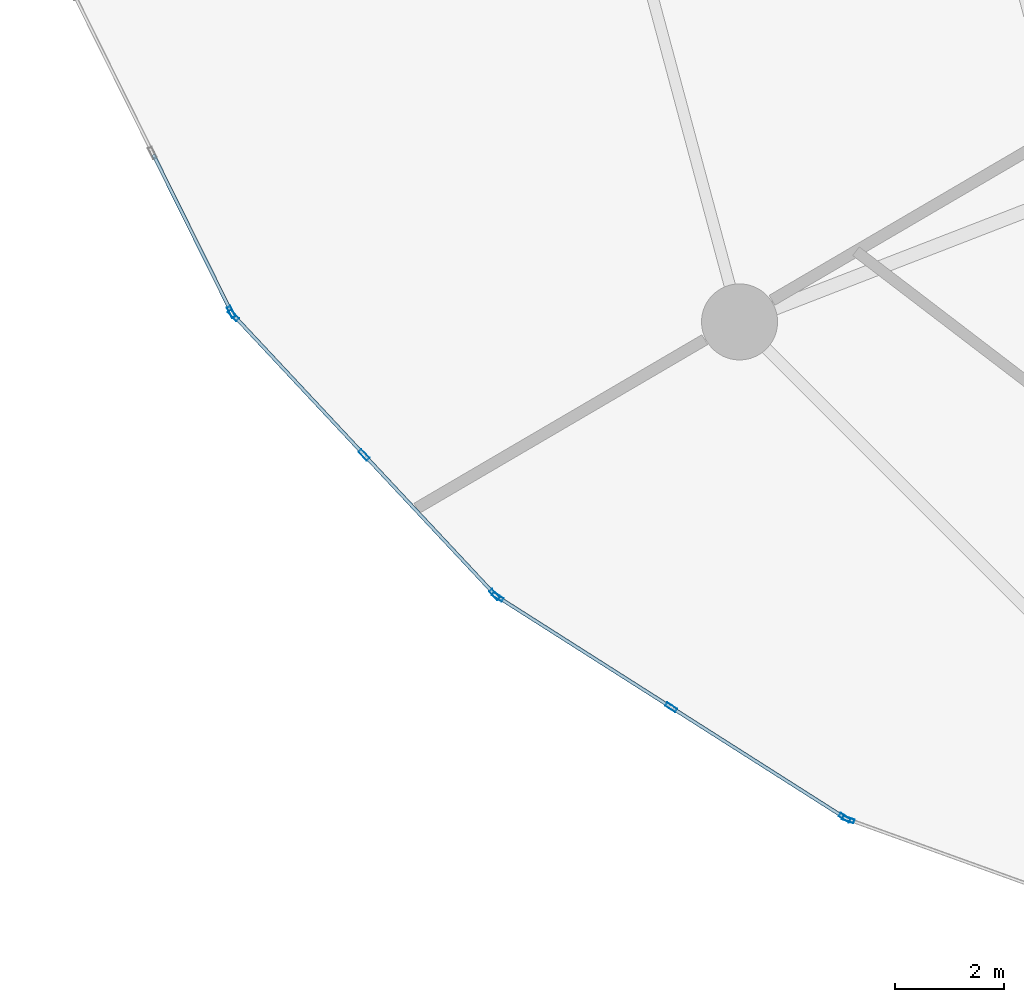
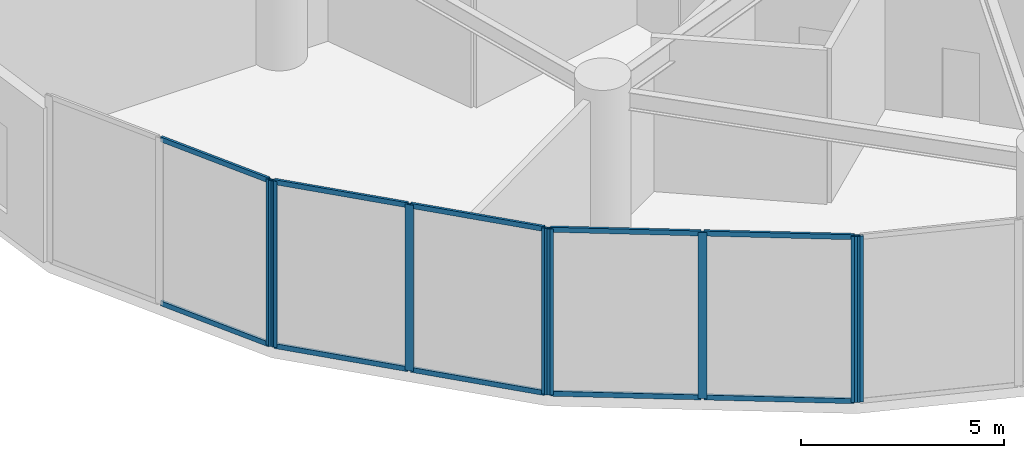
# One storey, part 4 of 31: 18 members, 4 elements without a shape of their own.
"""IFC4 building model written with IfcOpenShell, lengths in metres."""

from ifc_helpers import new_model, si_unit, direction, frame, origin, origin_2d, place, context, subcontext, project, spatial, hollow_rectangle, extrude, source, transform, mapped, material, layer, layer_set, material_profile, profile_set, type_object, element, aggregate, save


model = new_model("IFC4")

# Units and contexts
model_context = context("Model", 3, precision=1e-05, world=origin(), true_north=direction((0.0, 1.0)))
body_context = subcontext(model_context, "Body", "Model", "MODEL_VIEW")
ifc_project = project(units=[si_unit("LENGTHUNIT", "METRE"), si_unit("AREAUNIT", "SQUARE_METRE"), si_unit("VOLUMEUNIT", "CUBIC_METRE"), si_unit("PLANEANGLEUNIT", "RADIAN"), si_unit("MASSUNIT", "GRAM", prefix="KILO")], contexts=[model_context])

# Site, building, storey
site_placement = place(None, origin())
site = spatial("IfcSite", under=ifc_project, at=site_placement, CompositionType="ELEMENT")
building_placement = place(site_placement, origin())
building = spatial("IfcBuilding", under=site, at=building_placement, Name="Solvirekh Grand Hotel", CompositionType="ELEMENT")
storey_placement = place(building_placement, frame((0.0, 0.0, 18.60009765625)))
storey = spatial("IfcBuildingStorey", under=building, at=storey_placement, Name="L03", CompositionType="ELEMENT", Elevation=18.60009765625)

# Curtain wall, members
ifc_material = material(Name="Anodized Bronze Aluminium 6063-T6", Category="aluminium")
ifc_layer = layer(ifc_material, 0.219970703125)
ifc_layer_set = layer_set([ifc_layer], Name="Anodized Bronze Aluminium 6063-T6")
curtain_wall_type = type_object("IfcCurtainWallType", Name="CW_Sys1_PodiumBronzeUnitised", PredefinedType="NOTDEFINED", material=ifc_layer_set)
curtain_wall_1_placement = place(storey_placement, origin())
curtain_wall_1 = element("IfcCurtainWall", 1, at=curtain_wall_1_placement, inside=storey, type_object=curtain_wall_type, Name="L03 unitised bronze-glass curtain wall CW-L03-C14", PredefinedType="NOTDEFINED")
ifc_material_profile_1 = material_profile(ifc_material, hollow_rectangle(XDim=0.06494140625, YDim=0.14990234375, WallThickness=0.0048828125, at=origin_2d()), Name="ALU RHS 150X65X5")
ifc_profile_set_1 = profile_set([ifc_material_profile_1], Name="Anodized Bronze Aluminium 6063-T6")
member_type_1 = type_object("IfcMemberType", Name="CWTransom_Sys1", PredefinedType="USERDEFINED", material=ifc_profile_set_1)
shared_shape_1 = source(origin(), body_context, "Body", "SweptSolid", [
    extrude(hollow_rectangle(XDim=0.06494140625, YDim=0.14990234375, WallThickness=0.0048828125, at=origin_2d()), origin(), (0.0, 0.0, 1.0), 3.193603515625),
])
member_1_placement = place(storey_placement, frame((-29.671875, -7.821044921875, 0.032470703125), z_axis=(0.443846799093, -0.896102683254, 0.0), x_axis=(0.896102683254, 0.443846799093, 0.0)))
member_1 = element("IfcMember", 2, at=member_1_placement, type_object=member_type_1, Name="U01 transom 2.1", ObjectType="TRANSOM", PredefinedType="USERDEFINED", context=body_context, shape_type="MappedRepresentation", body=[
    mapped(shared_shape_1, transform((0.0, 0.0, 0.0), x_axis=(1.0, 0.0, 0.0), y_axis=(0.0, 1.0, 0.0), z_axis=(0.0, 0.0, 1.0), scale=1.0)),
])
member_2_placement = place(storey_placement, frame((-29.671875, -7.821044921875, 4.96728515625), z_axis=(0.443846799093, -0.896102683254, 0.0), x_axis=(0.896102683254, 0.443846799093, 0.0)))
member_2 = element("IfcMember", 3, at=member_2_placement, type_object=member_type_1, Name="U01 transom 2.2", ObjectType="TRANSOM", PredefinedType="USERDEFINED", context=body_context, shape_type="MappedRepresentation", body=[
    mapped(shared_shape_1, transform((0.0, 0.0, 0.0), x_axis=(1.0, 0.0, 0.0), y_axis=(0.0, 1.0, 0.0), z_axis=(0.0, 0.0, 1.0), scale=1.0)),
])

curtain_wall_2_placement = place(storey_placement, origin())
curtain_wall_2 = element("IfcCurtainWall", 4, at=curtain_wall_2_placement, inside=storey, type_object=curtain_wall_type, Name="L03 unitised bronze-glass curtain wall CW-L03-C15", PredefinedType="NOTDEFINED")
shared_shape_2 = source(origin(), body_context, "Body", "SweptSolid", [
    extrude(hollow_rectangle(XDim=0.06494140625, YDim=0.14990234375, WallThickness=0.0048828125, at=origin_2d()), origin(), (0.0, 0.0, 1.0), 3.443115234375),
])
member_3_placement = place(storey_placement, frame((-28.169677734375, -10.8046875, 0.032470703125), z_axis=(0.68313639099, -0.730290812831, 0.0), x_axis=(0.730290812831, 0.68313639099, 0.0)))
member_3 = element("IfcMember", 5, at=member_3_placement, type_object=member_type_1, Name="U01 transom 1.1", ObjectType="TRANSOM", PredefinedType="USERDEFINED", context=body_context, shape_type="MappedRepresentation", body=[
    mapped(shared_shape_2, transform((0.0, 0.0, 0.0), x_axis=(1.0, 0.0, 0.0), y_axis=(0.0, 1.0, 0.0), z_axis=(0.0, 0.0, 1.0), scale=1.0)),
])
member_4_placement = place(storey_placement, frame((-28.169677734375, -10.8046875, 4.96728515625), z_axis=(0.68313639099, -0.730290812831, 0.0), x_axis=(0.730290812831, 0.68313639099, 0.0)))
member_4 = element("IfcMember", 6, at=member_4_placement, type_object=member_type_1, Name="U01 transom 1.2", ObjectType="TRANSOM", PredefinedType="USERDEFINED", context=body_context, shape_type="MappedRepresentation", body=[
    mapped(shared_shape_2, transform((0.0, 0.0, 0.0), x_axis=(1.0, 0.0, 0.0), y_axis=(0.0, 1.0, 0.0), z_axis=(0.0, 0.0, 1.0), scale=1.0)),
])
member_5_placement = place(storey_placement, frame((-25.766357421875, -13.373779296875, 0.032470703125), z_axis=(0.68313639099, -0.730290812831, 0.0), x_axis=(0.730290812831, 0.68313639099, 0.0)))
member_5 = element("IfcMember", 7, at=member_5_placement, type_object=member_type_1, Name="U01 transom 2.1", ObjectType="TRANSOM", PredefinedType="USERDEFINED", context=body_context, shape_type="MappedRepresentation", body=[
    mapped(shared_shape_2, transform((0.0, 0.0, 0.0), x_axis=(1.0, 0.0, 0.0), y_axis=(0.0, 1.0, 0.0), z_axis=(0.0, 0.0, 1.0), scale=1.0)),
])
member_6_placement = place(storey_placement, frame((-25.766357421875, -13.373779296875, 4.96728515625), z_axis=(0.68313639099, -0.730290812831, 0.0), x_axis=(0.730290812831, 0.68313639099, 0.0)))
member_6 = element("IfcMember", 8, at=member_6_placement, type_object=member_type_1, Name="U01 transom 2.2", ObjectType="TRANSOM", PredefinedType="USERDEFINED", context=body_context, shape_type="MappedRepresentation", body=[
    mapped(shared_shape_2, transform((0.0, 0.0, 0.0), x_axis=(1.0, 0.0, 0.0), y_axis=(0.0, 1.0, 0.0), z_axis=(0.0, 0.0, 1.0), scale=1.0)),
])

curtain_wall_3_placement = place(storey_placement, origin())
curtain_wall_3 = element("IfcCurtainWall", 9, at=curtain_wall_3_placement, inside=storey, type_object=curtain_wall_type, Name="L03 unitised bronze-glass curtain wall CW-L03-C16", PredefinedType="NOTDEFINED")
shared_shape_3 = source(origin(), body_context, "Body", "SweptSolid", [
    extrude(hollow_rectangle(XDim=0.06494140625, YDim=0.14990234375, WallThickness=0.0048828125, at=origin_2d()), origin(), (0.0, 0.0, 1.0), 3.7109375),
])
member_7_placement = place(storey_placement, frame((-23.2998046875, -15.983154296875, 0.032470703125), z_axis=(0.843604595383, -0.536964883999, 0.0), x_axis=(0.536964883999, 0.843604595383, 0.0)))
member_7 = element("IfcMember", 10, at=member_7_placement, type_object=member_type_1, Name="U01 transom 1.1", ObjectType="TRANSOM", PredefinedType="USERDEFINED", context=body_context, shape_type="MappedRepresentation", body=[
    mapped(shared_shape_3, transform((0.0, 0.0, 0.0), x_axis=(1.0, 0.0, 0.0), y_axis=(0.0, 1.0, 0.0), z_axis=(0.0, 0.0, 1.0), scale=1.0)),
])
member_8_placement = place(storey_placement, frame((-23.2998046875, -15.983154296875, 4.96728515625), z_axis=(0.843604595383, -0.536964883999, 0.0), x_axis=(0.536964883999, 0.843604595383, 0.0)))
member_8 = element("IfcMember", 11, at=member_8_placement, type_object=member_type_1, Name="U01 transom 1.2", ObjectType="TRANSOM", PredefinedType="USERDEFINED", context=body_context, shape_type="MappedRepresentation", body=[
    mapped(shared_shape_3, transform((0.0, 0.0, 0.0), x_axis=(1.0, 0.0, 0.0), y_axis=(0.0, 1.0, 0.0), z_axis=(0.0, 0.0, 1.0), scale=1.0)),
])
member_9_placement = place(storey_placement, frame((-20.10595703125, -18.01611328125, 0.032470703125), z_axis=(0.843604595383, -0.536964883999, 0.0), x_axis=(0.536964883999, 0.843604595383, 0.0)))
member_9 = element("IfcMember", 12, at=member_9_placement, type_object=member_type_1, Name="U01 transom 2.1", ObjectType="TRANSOM", PredefinedType="USERDEFINED", context=body_context, shape_type="MappedRepresentation", body=[
    mapped(shared_shape_3, transform((0.0, 0.0, 0.0), x_axis=(1.0, 0.0, 0.0), y_axis=(0.0, 1.0, 0.0), z_axis=(0.0, 0.0, 1.0), scale=1.0)),
])
member_10_placement = place(storey_placement, frame((-20.10595703125, -18.01611328125, 4.96728515625), z_axis=(0.843604595383, -0.536964883999, 0.0), x_axis=(0.536964883999, 0.843604595383, 0.0)))
member_10 = element("IfcMember", 13, at=member_10_placement, type_object=member_type_1, Name="U01 transom 2.2", ObjectType="TRANSOM", PredefinedType="USERDEFINED", context=body_context, shape_type="MappedRepresentation", body=[
    mapped(shared_shape_3, transform((0.0, 0.0, 0.0), x_axis=(1.0, 0.0, 0.0), y_axis=(0.0, 1.0, 0.0), z_axis=(0.0, 0.0, 1.0), scale=1.0)),
])

# Member
ifc_material_profile_2 = material_profile(ifc_material, hollow_rectangle(XDim=0.074951171875, YDim=0.219970703125, WallThickness=0.006103515625, at=origin_2d()), Name="ALU RHS 220X75X6")
ifc_profile_set_2 = profile_set([ifc_material_profile_2], Name="Anodized Bronze Aluminium 6063-T6")
member_type_2 = type_object("IfcMemberType", Name="CWMullion_Sys1", PredefinedType="MULLION", material=ifc_profile_set_2)
shared_shape_4 = source(origin(), body_context, "Body", "SweptSolid", [
    extrude(hollow_rectangle(XDim=0.074951171875, YDim=0.219970703125, WallThickness=0.006103515625, at=origin_2d()), origin(), (0.0, 0.0, 1.0), 5.0),
])
member_11_placement = place(storey_placement, frame((-28.237548828125, -10.71630859375, 0.0), z_axis=(0.0, 0.0, 1.0), x_axis=(0.896084619407, 0.443883267157, 0.0)))
member_11 = element("IfcMember", 14, at=member_11_placement, type_object=member_type_2, Name="U01 mullion 3", PredefinedType="MULLION", context=body_context, shape_type="MappedRepresentation", body=[
    mapped(shared_shape_4, transform((0.0, 0.0, 0.0), x_axis=(1.0, 0.0, 0.0), y_axis=(0.0, 1.0, 0.0), z_axis=(0.0, 0.0, 1.0), scale=1.0)),
])

aggregate(curtain_wall_1, [member_11, member_1, member_2])

member_12_placement = place(storey_placement, frame((-28.1953125, -10.77734375, 0.0), z_axis=(0.0, 0.0, 1.0), x_axis=(0.730269150393, 0.683159547971, 0.0)))
member_12 = element("IfcMember", 15, at=member_12_placement, type_object=member_type_2, Name="U01 mullion 1", PredefinedType="MULLION", context=body_context, shape_type="MappedRepresentation", body=[
    mapped(shared_shape_4, transform((0.0, 0.0, 0.0), x_axis=(1.0, 0.0, 0.0), y_axis=(0.0, 1.0, 0.0), z_axis=(0.0, 0.0, 1.0), scale=1.0)),
])

member_13_placement = place(storey_placement, frame((-25.7919921875, -13.346435546875, 0.0), z_axis=(0.0, 0.0, 1.0), x_axis=(0.730269150393, 0.683159547971, 0.0)))
member_13 = element("IfcMember", 16, at=member_13_placement, type_object=member_type_2, Name="U01 mullion 2", PredefinedType="MULLION", context=body_context, shape_type="MappedRepresentation", body=[
    mapped(shared_shape_4, transform((0.0, 0.0, 0.0), x_axis=(1.0, 0.0, 0.0), y_axis=(0.0, 1.0, 0.0), z_axis=(0.0, 0.0, 1.0), scale=1.0)),
])

member_14_placement = place(storey_placement, frame((-23.388671875, -15.91552734375, 0.0), z_axis=(0.0, 0.0, 1.0), x_axis=(0.730269150393, 0.683159547971, 0.0)))
member_14 = element("IfcMember", 17, at=member_14_placement, type_object=member_type_2, Name="U01 mullion 3", PredefinedType="MULLION", context=body_context, shape_type="MappedRepresentation", body=[
    mapped(shared_shape_4, transform((0.0, 0.0, 0.0), x_axis=(1.0, 0.0, 0.0), y_axis=(0.0, 1.0, 0.0), z_axis=(0.0, 0.0, 1.0), scale=1.0)),
])

aggregate(curtain_wall_2, [member_12, member_13, member_14, member_3, member_4, member_5, member_6])

member_15_placement = place(storey_placement, frame((-23.331298828125, -15.963134765625, 0.0), z_axis=(0.0, 0.0, 1.0), x_axis=(0.536951645725, 0.843613021564, 0.0)))
member_15 = element("IfcMember", 18, at=member_15_placement, type_object=member_type_2, Name="U01 mullion 1", PredefinedType="MULLION", context=body_context, shape_type="MappedRepresentation", body=[
    mapped(shared_shape_4, transform((0.0, 0.0, 0.0), x_axis=(1.0, 0.0, 0.0), y_axis=(0.0, 1.0, 0.0), z_axis=(0.0, 0.0, 1.0), scale=1.0)),
])

member_16_placement = place(storey_placement, frame((-20.137451171875, -17.99609375, 0.0), z_axis=(0.0, 0.0, 1.0), x_axis=(0.536951645725, 0.843613021564, 0.0)))
member_16 = element("IfcMember", 19, at=member_16_placement, type_object=member_type_2, Name="U01 mullion 2", PredefinedType="MULLION", context=body_context, shape_type="MappedRepresentation", body=[
    mapped(shared_shape_4, transform((0.0, 0.0, 0.0), x_axis=(1.0, 0.0, 0.0), y_axis=(0.0, 1.0, 0.0), z_axis=(0.0, 0.0, 1.0), scale=1.0)),
])

member_17_placement = place(storey_placement, frame((-16.943603515625, -20.02880859375, 0.0), z_axis=(0.0, 0.0, 1.0), x_axis=(0.536951645725, 0.843613021564, 0.0)))
member_17 = element("IfcMember", 20, at=member_17_placement, type_object=member_type_2, Name="U01 mullion 3", PredefinedType="MULLION", context=body_context, shape_type="MappedRepresentation", body=[
    mapped(shared_shape_4, transform((0.0, 0.0, 0.0), x_axis=(1.0, 0.0, 0.0), y_axis=(0.0, 1.0, 0.0), z_axis=(0.0, 0.0, 1.0), scale=1.0)),
])

aggregate(curtain_wall_3, [member_15, member_16, member_17, member_7, member_8, member_9, member_10])

# Curtain wall, member
curtain_wall_4_placement = place(storey_placement, origin())
curtain_wall_4 = element("IfcCurtainWall", 21, at=curtain_wall_4_placement, inside=storey, type_object=curtain_wall_type, Name="L03 unitised bronze-glass curtain wall CW-L03-C17", PredefinedType="NOTDEFINED")
member_18_placement = place(storey_placement, frame((-16.876708984375, -20.061767578125, 0.0), z_axis=(0.0, 0.0, 1.0), x_axis=(0.339039307019, 0.940772208505, 0.0)))
member_18 = element("IfcMember", 22, at=member_18_placement, type_object=member_type_2, Name="U01 mullion 1", PredefinedType="MULLION", context=body_context, shape_type="MappedRepresentation", body=[
    mapped(shared_shape_4, transform((0.0, 0.0, 0.0), x_axis=(1.0, 0.0, 0.0), y_axis=(0.0, 1.0, 0.0), z_axis=(0.0, 0.0, 1.0), scale=1.0)),
])
aggregate(curtain_wall_4, [member_18])

save(model, "model.ifc")
